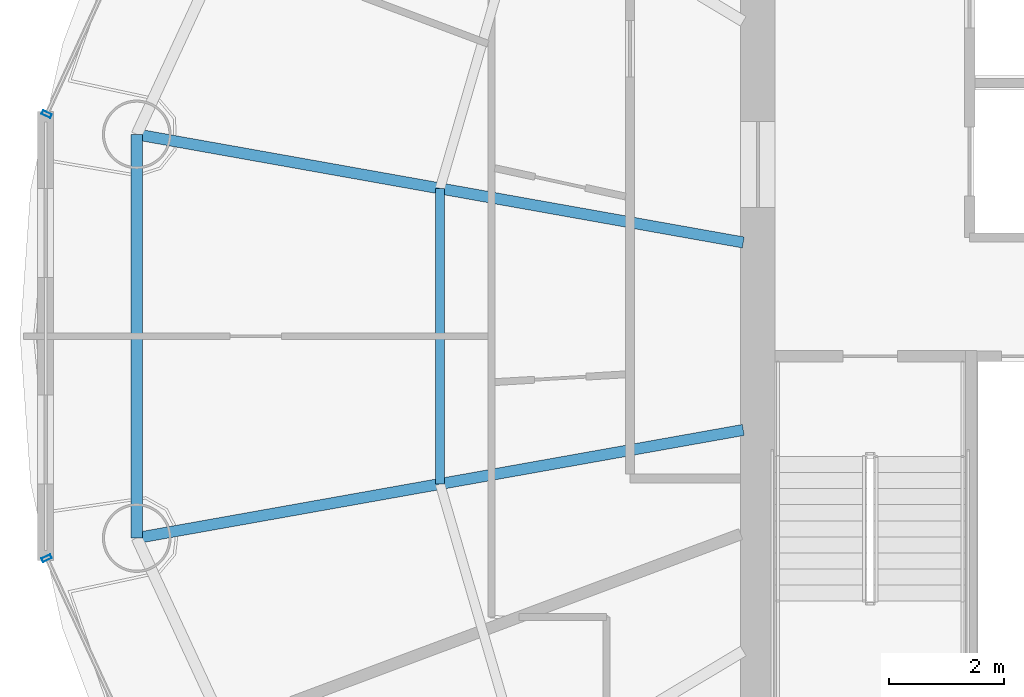
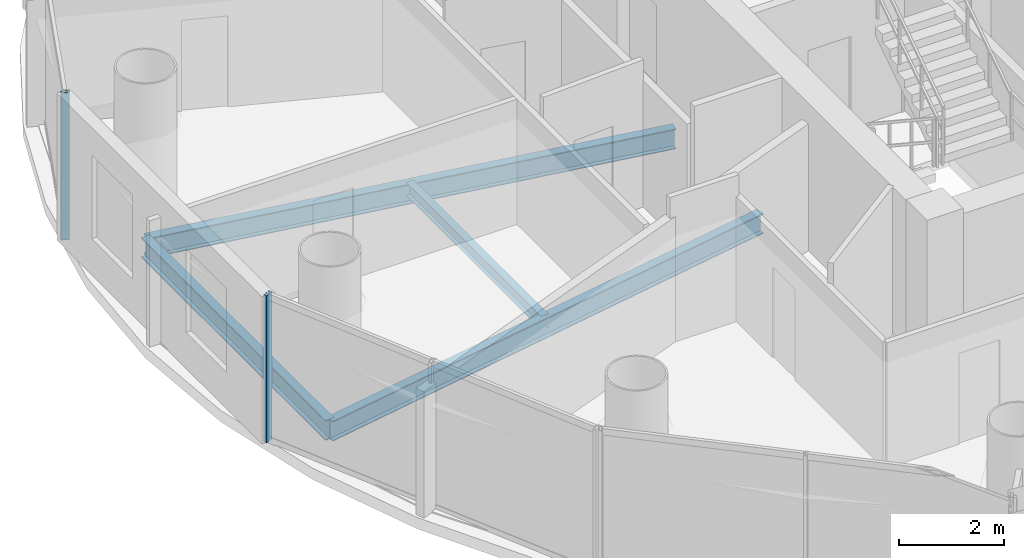
# One storey, part 7 of 26: 4 beams, 2 members, 2 elements without a shape of their own.
"""IFC4 building model written with IfcOpenShell, lengths in metres."""

from ifc_helpers import new_model, si_unit, direction, frame, origin, origin_2d, place, context, subcontext, project, spatial, hollow_rectangle, i_section, extrude, source, transform, mapped, material, material_profile, profile_set, type_object, element, aggregate, save


model = new_model("IFC4")

# Units and contexts
model_context = context("Model", 3, precision=1e-05, world=origin(), true_north=direction((-0.2419218956, 0.970295726276)))
body_context = subcontext(model_context, "Body", "Model", "MODEL_VIEW")
ifc_project = project(units=[si_unit("LENGTHUNIT", "METRE"), si_unit("AREAUNIT", "SQUARE_METRE"), si_unit("VOLUMEUNIT", "CUBIC_METRE"), si_unit("PLANEANGLEUNIT", "RADIAN"), si_unit("MASSUNIT", "GRAM", prefix="KILO")], contexts=[model_context])

# Site, building, storey
site_placement = place(None, origin())
site = spatial("IfcSite", under=ifc_project, at=site_placement, CompositionType="ELEMENT")
building_placement = place(site_placement, origin())
building = spatial("IfcBuilding", under=site, at=building_placement, Name="Cobrevalo Terracotta Tower", CompositionType="ELEMENT")
storey_placement = place(building_placement, frame((0.0, 0.0, 206.0)))
storey = spatial("IfcBuildingStorey", under=building, at=storey_placement, Name="L54", CompositionType="ELEMENT", Elevation=206.0)

# Beams
ifc_material_1 = material(Name="Steel S355", Category="steel")
ifc_material_profile_1 = material_profile(ifc_material_1, i_section(OverallWidth=0.194091796875, OverallDepth=0.468994140625, WebThickness=0.011474609375, FlangeThickness=0.0205078125, at=origin_2d()), Name="W 460x106")
ifc_profile_set_1 = profile_set([ifc_material_profile_1], Name="Steel S355")
beam_type_1 = type_object("IfcBeamType", Name="Structural Beam W 460x106 (Steel S355)", PredefinedType="BEAM", material=ifc_profile_set_1)
for number, where, z_axis, x_axis, name in (
    (1, (18.237060546875, 30.3212890625, -0.49951171875), (0.98449712063, -0.175400739656, 0.0), (0.175400739656, 0.98449712063, 0.0), "L54 radial floor girder 08"),
    (2, (18.237060546875, 23.278564453125, -0.49951171875), (0.984493198547, 0.175422752274, 0.0), (-0.175422752274, 0.984493198547, 0.0), "L54 radial floor girder 09"),
):
    element("IfcBeam", number, at=place(storey_placement, frame(where, z_axis=z_axis, x_axis=x_axis)), inside=storey, type_object=beam_type_1, Name=name, PredefinedType="BEAM", context=body_context, shape_type="SweptSolid", body=[
        extrude(i_section(OverallWidth=0.194091796875, OverallDepth=0.468994140625, WebThickness=0.011474609375, FlangeThickness=0.0205078125, at=origin_2d()), origin(), (0.0, 0.0, 1.0), 10.749755859375),
    ])
ifc_material_profile_2 = material_profile(ifc_material_1, i_section(OverallWidth=0.1650390625, OverallDepth=0.31005859375, WebThickness=0.005859375, FlangeThickness=0.009765625, at=origin_2d()), Name="W 310x38.7")
ifc_profile_set_2 = profile_set([ifc_material_profile_2], Name="Steel S355")
beam_type_2 = type_object("IfcBeamType", Name="Structural Joist W 310x38.7 (Steel S355)", PredefinedType="JOIST", material=ifc_profile_set_2)
beam_1_placement = place(storey_placement, frame((23.528564453125, 29.378662109375, -0.419921875), z_axis=(0.0, -1.0, 0.0), x_axis=(1.0, 0.0, 0.0)))
element("IfcBeam", 3, at=beam_1_placement, inside=storey, type_object=beam_type_2, Name="L54 circumferential secondary floor joist 08", PredefinedType="JOIST", context=body_context, shape_type="SweptSolid", body=[
    extrude(i_section(OverallWidth=0.1650390625, OverallDepth=0.31005859375, WebThickness=0.005859375, FlangeThickness=0.009765625, at=origin_2d()), origin(), (0.0, 0.0, 1.0), 5.1572265625),
])
ifc_material_profile_3 = material_profile(ifc_material_1, i_section(OverallWidth=0.194091796875, OverallDepth=0.468994140625, WebThickness=0.011474609375, FlangeThickness=0.0205078125, at=origin_2d()), Name="W 460x106")
ifc_profile_set_3 = profile_set([ifc_material_profile_3], Name="Steel S355")
beam_type_3 = type_object("IfcBeamType", Name="Structural Spandrel W 460x106 (Steel S355)", PredefinedType="SPANDREL", material=ifc_profile_set_3)
beam_2_placement = place(storey_placement, frame((18.237060546875, 30.3212890625, -0.49951171875), z_axis=(0.0, -1.0, 0.0), x_axis=(1.0, 0.0, 0.0)))
element("IfcBeam", 4, at=beam_2_placement, inside=storey, type_object=beam_type_3, Name="L54 perimeter ring spandrel 08", PredefinedType="SPANDREL", context=body_context, shape_type="SweptSolid", body=[
    extrude(i_section(OverallWidth=0.194091796875, OverallDepth=0.468994140625, WebThickness=0.011474609375, FlangeThickness=0.0205078125, at=origin_2d()), origin(), (0.0, 0.0, 1.0), 7.042724609375),
])

# Curtain wall, member
ifc_material_2 = material(Name="Anodized aluminium", Category="aluminium")
curtain_wall_type = type_object("IfcCurtainWallType", Name="Mid-tower high-wind unitised curtain wall CW-U2", PredefinedType="NOTDEFINED", material=ifc_material_2)
curtain_wall_1_placement = place(storey_placement, origin())
curtain_wall_1 = element("IfcCurtainWall", 5, at=curtain_wall_1_placement, inside=storey, type_object=curtain_wall_type, Name="L54 curtain wall CW-L54-S07", PredefinedType="NOTDEFINED")
ifc_material_profile_4 = material_profile(ifc_material_2, hollow_rectangle(XDim=0.070068359375, YDim=0.169921875, WallThickness=0.00439453125, at=origin_2d()), Name="CWM 70x170")
ifc_profile_set_4 = profile_set([ifc_material_profile_4], Name="Anodized aluminium")
member_type = type_object("IfcMemberType", Name="Upper tower unitised mullion 70x170", PredefinedType="MULLION", material=ifc_profile_set_4)
shared_shape = source(origin(), body_context, "Body", "SweptSolid", [
    extrude(hollow_rectangle(XDim=0.070068359375, YDim=0.169921875, WallThickness=0.00439453125, at=origin_2d()), origin(), (0.0, 0.0, 1.0), 3.43505859375),
])
member_1_placement = place(storey_placement, frame((16.6650390625, 30.673828125, 0.0), z_axis=(0.0, 0.0, 1.0), x_axis=(-0.41672507912, -0.909032567311, 0.0)))
member_1 = element("IfcMember", 6, at=member_1_placement, type_object=member_type, Name="CW-L54-S07 vertical mullion 03", PredefinedType="MULLION", context=body_context, shape_type="MappedRepresentation", body=[
    mapped(shared_shape, transform((0.0, 0.0, 0.0), scale=1.0)),
])
aggregate(curtain_wall_1, [member_1])

curtain_wall_2_placement = place(storey_placement, origin())
curtain_wall_2 = element("IfcCurtainWall", 7, at=curtain_wall_2_placement, inside=storey, type_object=curtain_wall_type, Name="L54 curtain wall CW-L54-S09", PredefinedType="NOTDEFINED")
member_2_placement = place(storey_placement, frame((16.6650390625, 22.92626953125, 0.0), z_axis=(0.0, 0.0, 1.0), x_axis=(0.41672507912, -0.909032567311, 0.0)))
member_2 = element("IfcMember", 8, at=member_2_placement, type_object=member_type, Name="CW-L54-S09 vertical mullion 01", PredefinedType="MULLION", context=body_context, shape_type="MappedRepresentation", body=[
    mapped(shared_shape, transform((0.0, 0.0, 0.0), scale=1.0)),
])
aggregate(curtain_wall_2, [member_2])

save(model, "model.ifc")
